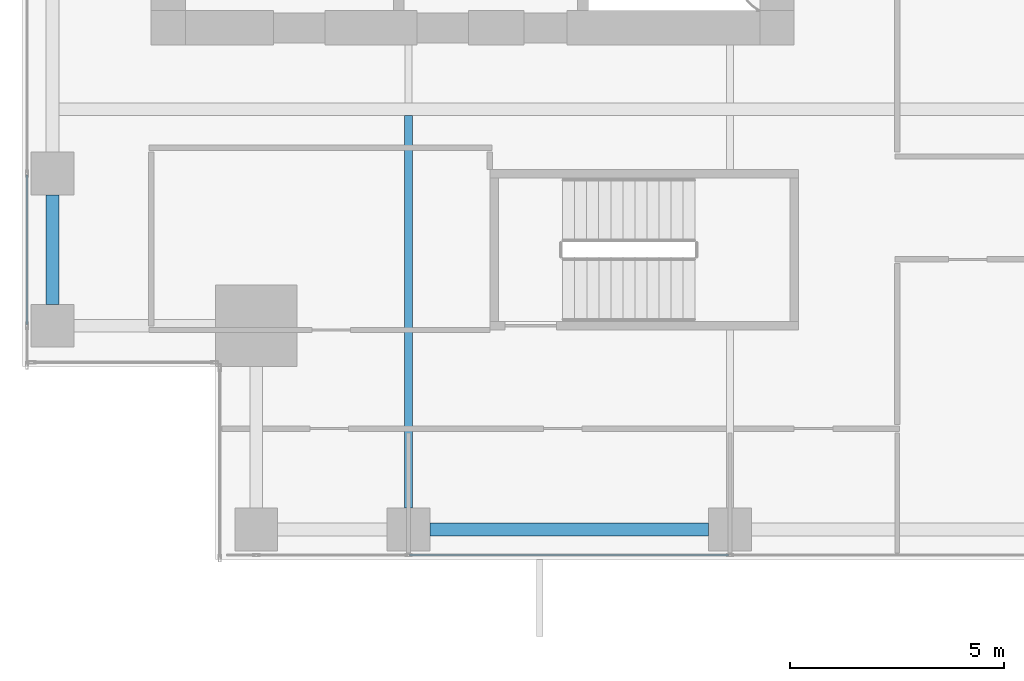
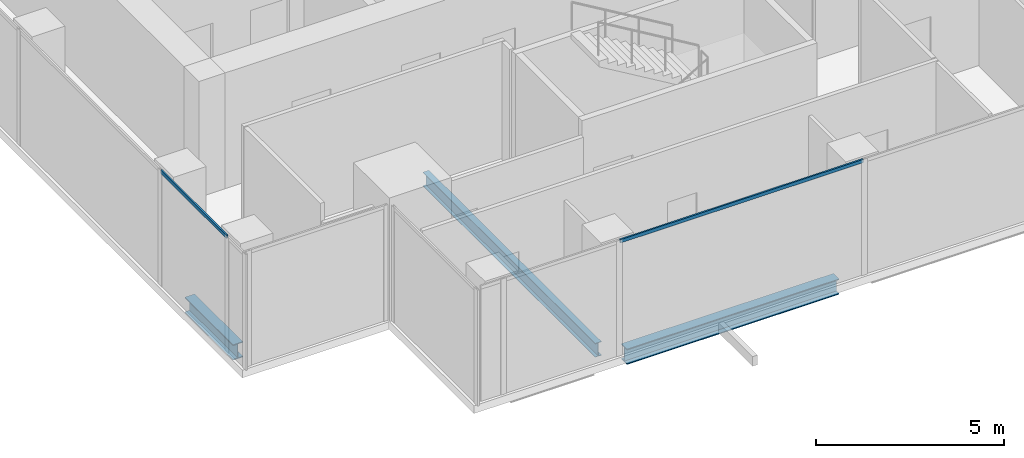
# One storey, part 3 of 40: 3 beams, 2 members, 2 elements without a shape of their own.
"""IFC4 building model written with IfcOpenShell, lengths in metres."""

from ifc_helpers import new_model, si_unit, direction, frame, origin, origin_2d, place, context, subcontext, project, spatial, hollow_rectangle, i_section, extrude, source, transform, mapped, material, material_profile, profile_set, type_object, element, aggregate, save


model = new_model("IFC4")

# Units and contexts
model_context = context("Model", 3, precision=1e-05, world=origin(), true_north=direction((0.0, 1.0)))
body_context = subcontext(model_context, "Body", "Model", "MODEL_VIEW")
ifc_project = project(units=[si_unit("LENGTHUNIT", "METRE"), si_unit("AREAUNIT", "SQUARE_METRE"), si_unit("VOLUMEUNIT", "CUBIC_METRE"), si_unit("PLANEANGLEUNIT", "RADIAN"), si_unit("MASSUNIT", "GRAM", prefix="KILO")], contexts=[model_context])

# Site, building, storey
site_placement = place(None, origin())
site = spatial("IfcSite", under=ifc_project, at=site_placement, CompositionType="ELEMENT")
building_placement = place(site_placement, origin())
building = spatial("IfcBuilding", under=site, at=building_placement, Name="Khomas Fold Tower", CompositionType="ELEMENT")
storey_placement = place(building_placement, frame((0.0, 0.0, 192.699951171875)))
storey = spatial("IfcBuildingStorey", under=building, at=storey_placement, Name="L42", CompositionType="ELEMENT", Elevation=192.699951171875)

# Beams
ifc_material_1 = material(Name="Steel S355", Category="steel")
ifc_material_profile_1 = material_profile(ifc_material_1, i_section(OverallWidth=0.300048828125, OverallDepth=0.5, WebThickness=0.014404296875, FlangeThickness=0.028076171875, at=origin_2d()), Name="HE 500 B")
ifc_profile_set_1 = profile_set([ifc_material_profile_1], Name="Steel S355")
beam_type_1 = type_object("IfcBeamType", Name="HE 500 B spandrel SB3", PredefinedType="SPANDREL", material=ifc_profile_set_1)
shared_shape_1 = source(origin(), body_context, "Body", "SweptSolid", [
    extrude(i_section(OverallWidth=0.300048828125, OverallDepth=0.5, WebThickness=0.014404296875, FlangeThickness=0.028076171875, at=origin_2d()), origin(), (0.0, 0.0, 1.0), 2.550048828125),
])
beam_1_placement = place(storey_placement, frame((3.699951171875, 8.949951171875, -0.5), z_axis=(0.0, 1.0, 0.0), x_axis=(-1.0, 0.0, 0.0)))
element("IfcBeam", 1, at=beam_1_placement, inside=storey, type_object=beam_type_1, Name="SB3", PredefinedType="SPANDREL", context=body_context, shape_type="MappedRepresentation", body=[
    mapped(shared_shape_1, transform((0.0, 0.0, 0.0))),
])
shared_shape_2 = source(origin(), body_context, "Body", "SweptSolid", [
    extrude(i_section(OverallWidth=0.300048828125, OverallDepth=0.5, WebThickness=0.014404296875, FlangeThickness=0.028076171875, at=origin_2d()), origin(), (0.0, 0.0, 1.0), 6.5),
])
beam_2_placement = place(storey_placement, frame((12.5, 3.699951171875, -0.5), z_axis=(1.0, 0.0, 0.0), x_axis=(0.0, 1.0, 0.0)))
element("IfcBeam", 2, at=beam_2_placement, inside=storey, type_object=beam_type_1, Name="SB3", PredefinedType="SPANDREL", context=body_context, shape_type="MappedRepresentation", body=[
    mapped(shared_shape_2, transform((0.0, 0.0, 0.0))),
])
ifc_material_2 = material(Name="Steel S355", Category="steel")
ifc_material_profile_2 = material_profile(ifc_material_2, i_section(OverallWidth=0.18994140625, OverallDepth=0.449951171875, WebThickness=0.009521484375, FlangeThickness=0.0146484375, at=origin_2d()), Name="IPE 450")
ifc_profile_set_2 = profile_set([ifc_material_profile_2], Name="Steel S355")
beam_type_2 = type_object("IfcBeamType", Name="IPE 450 beam JB4", PredefinedType="BEAM", material=ifc_profile_set_2)
shared_shape_3 = source(origin(), body_context, "Body", "SweptSolid", [
    extrude(i_section(OverallWidth=0.18994140625, OverallDepth=0.449951171875, WebThickness=0.009521484375, FlangeThickness=0.0146484375, at=origin_2d()), origin(), (0.0, 0.0, 1.0), 9.150146484375),
])
beam_3_placement = place(storey_placement, frame((12.0, 4.199951171875, -0.474853515625), z_axis=(0.0, 1.0, 0.0), x_axis=(-1.0, 0.0, 0.0)))
element("IfcBeam", 3, at=beam_3_placement, inside=storey, type_object=beam_type_2, Name="JB4", PredefinedType="BEAM", context=body_context, shape_type="MappedRepresentation", body=[
    mapped(shared_shape_3, transform((0.0, 0.0, 0.0))),
])

# Curtain wall, member
ifc_material_3 = material(Name="Aluminium framed double glazing", Category="aluminium")
curtain_wall_type = type_object("IfcCurtainWallType", Name="SK-Unitised clear-glass wall, office floors CW2", PredefinedType="NOTDEFINED", material=ifc_material_3)
curtain_wall_1_placement = place(storey_placement, origin())
curtain_wall_1 = element("IfcCurtainWall", 4, at=curtain_wall_1_placement, inside=storey, type_object=curtain_wall_type, Name="CW2 run L42 09-0", PredefinedType="NOTDEFINED")
ifc_material_4 = material(Name="Aluminium", Category="aluminium")
ifc_material_profile_3 = material_profile(ifc_material_4, hollow_rectangle(XDim=0.050048828125, YDim=0.110107421875, WallThickness=0.00390625, at=origin_2d()), Name="SK-Unitised clear-glass wall, office floors transom CW2-T")
ifc_profile_set_3 = profile_set([ifc_material_profile_3], Name="Aluminium")
member_type = type_object("IfcMemberType", Name="SK-Unitised clear-glass wall, office floors transom CW2-T", PredefinedType="USERDEFINED", material=ifc_profile_set_3)
shared_shape_4 = source(origin(), body_context, "Body", "SweptSolid", [
    extrude(hollow_rectangle(XDim=0.050048828125, YDim=0.110107421875, WallThickness=0.00390625, at=origin_2d()), origin(), (0.0, 0.0, 1.0), 3.489990234375),
])
member_1_placement = place(storey_placement, frame((3.10009765625, 11.969970703125, 3.695068359375), z_axis=(0.0, -1.0, 0.0), x_axis=(1.0, 0.0, 0.0)))
member_1 = element("IfcMember", 5, at=member_1_placement, type_object=member_type, Name="CW2 transom 7", ObjectType="TRANSOM", PredefinedType="USERDEFINED", context=body_context, shape_type="MappedRepresentation", body=[
    mapped(shared_shape_4, transform((0.0, 0.0, 0.0))),
])
aggregate(curtain_wall_1, [member_1])

curtain_wall_2_placement = place(storey_placement, origin())
curtain_wall_2 = element("IfcCurtainWall", 6, at=curtain_wall_2_placement, inside=storey, type_object=curtain_wall_type, Name="CW2 run L42 00-0", PredefinedType="NOTDEFINED")
shared_shape_5 = source(origin(), body_context, "Body", "SweptSolid", [
    extrude(hollow_rectangle(XDim=0.050048828125, YDim=0.110107421875, WallThickness=0.00390625, at=origin_2d()), origin(), (0.0, 0.0, 1.0), 7.43994140625),
])
member_2_placement = place(storey_placement, frame((12.030029296875, 3.10009765625, 3.695068359375), z_axis=(1.0, 0.0, 0.0), x_axis=(0.0, 1.0, 0.0)))
member_2 = element("IfcMember", 7, at=member_2_placement, type_object=member_type, Name="CW2 transom 3", ObjectType="TRANSOM", PredefinedType="USERDEFINED", context=body_context, shape_type="MappedRepresentation", body=[
    mapped(shared_shape_5, transform((0.0, 0.0, 0.0))),
])
aggregate(curtain_wall_2, [member_2])

save(model, "model.ifc")
